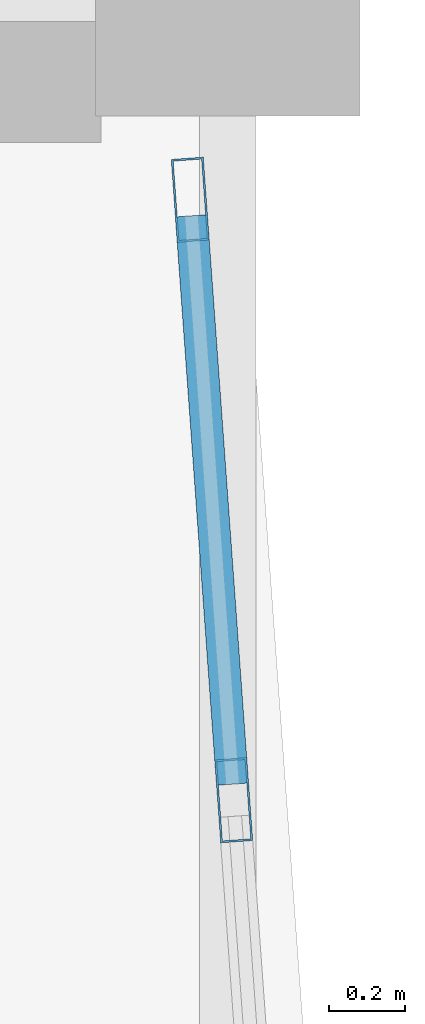
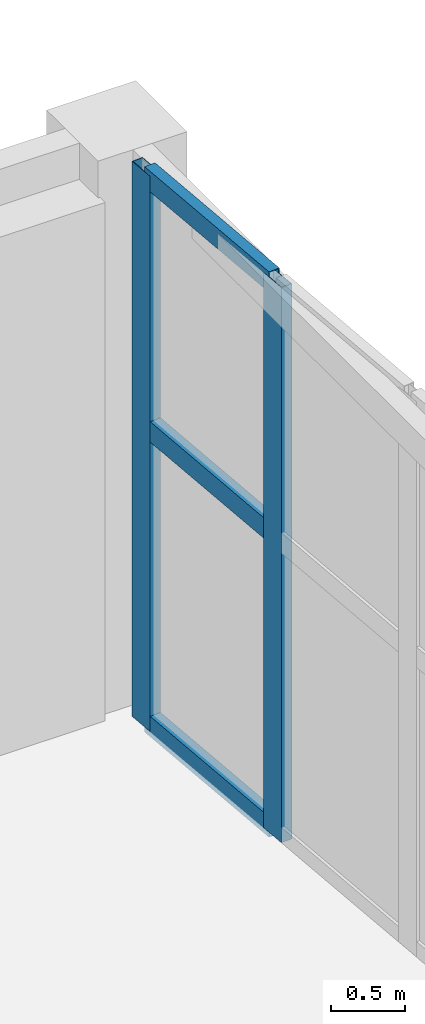
# One storey, part 30 of 72: 5 members, 1 element without a shape of its own.
"""IFC4 building model written with IfcOpenShell, lengths in metres."""

from ifc_helpers import new_model, si_unit, direction, frame, origin, origin_2d, place, context, subcontext, project, spatial, hollow_rectangle, extrude, material, layer, layer_set, material_profile, profile_set, type_object, element, aggregate, save


model = new_model("IFC4")

# Units and contexts
model_context = context("Model", 3, precision=1e-05, world=origin(), true_north=direction((0.0, 1.0)))
body_context = subcontext(model_context, "Body", "Model", "MODEL_VIEW")
ifc_project = project(units=[si_unit("LENGTHUNIT", "METRE"), si_unit("AREAUNIT", "SQUARE_METRE"), si_unit("VOLUMEUNIT", "CUBIC_METRE"), si_unit("PLANEANGLEUNIT", "RADIAN"), si_unit("MASSUNIT", "GRAM", prefix="KILO")], contexts=[model_context])

# Site, building, storey
site_placement = place(None, origin())
site = spatial("IfcSite", under=ifc_project, at=site_placement, CompositionType="ELEMENT")
building_placement = place(site_placement, origin())
building = spatial("IfcBuilding", under=site, at=building_placement, Name="Xicomal Pleat Aquarium", CompositionType="ELEMENT")
storey_placement = place(building_placement, frame((0.0, 0.0, 10.5)))
storey = spatial("IfcBuildingStorey", under=building, at=storey_placement, Name="L03", CompositionType="ELEMENT", Elevation=10.5)

# Curtain wall, members
ifc_material_1 = material(Name="Bronze anodized aluminium 6063-T6", Category="aluminium")
ifc_layer = layer(ifc_material_1, 0.159912109375)
ifc_layer_set = layer_set([ifc_layer], Name="Bronze anodized aluminium 6063-T6")
curtain_wall_type = type_object("IfcCurtainWallType", Name="CW-SYS-03", PredefinedType="NOTDEFINED", material=ifc_layer_set)
curtain_wall_placement = place(storey_placement, origin())
curtain_wall = element("IfcCurtainWall", 1, at=curtain_wall_placement, inside=storey, type_object=curtain_wall_type, Name="L03 unitised curtain wall CW-L03-158", PredefinedType="NOTDEFINED")
ifc_material_2 = material(Name="Bronze anodized aluminium 6063-T6", Category="aluminium")
ifc_material_profile_1 = material_profile(ifc_material_2, hollow_rectangle(XDim=0.0849609375, YDim=0.219970703125, WallThickness=0.0048828125, at=origin_2d()), Name="ALU MULL 85x220")
ifc_profile_set_1 = profile_set([ifc_material_profile_1], Name="Bronze anodized aluminium 6063-T6")
member_type_1 = type_object("IfcMemberType", Name="CWM-85x220", PredefinedType="MULLION", material=ifc_profile_set_1)
member_1_placement = place(storey_placement, frame((118.10107421875, 67.82861328125, 0.0), z_axis=(0.0, 0.0, 1.0), x_axis=(0.997392298421, 0.072170652282, 0.0)))
member_1 = element("IfcMember", 2, at=member_1_placement, type_object=member_type_1, Name="CW-03 mullion 1", PredefinedType="MULLION", context=body_context, shape_type="SweptSolid", body=[
    extrude(hollow_rectangle(XDim=0.0849609375, YDim=0.219970703125, WallThickness=0.0048828125, at=origin_2d()), origin(), (0.0, 0.0, 1.0), 4.610107421875),
])
member_2_placement = place(storey_placement, frame((118.216064453125, 66.240234375, 0.0), z_axis=(0.0, 0.0, 1.0), x_axis=(0.997392298421, 0.072170652282, 0.0)))
member_2 = element("IfcMember", 3, at=member_2_placement, type_object=member_type_1, Name="CW-03 mullion 2", PredefinedType="MULLION", context=body_context, shape_type="SweptSolid", body=[
    extrude(hollow_rectangle(XDim=0.0849609375, YDim=0.219970703125, WallThickness=0.0048828125, at=origin_2d()), origin(), (0.0, 0.0, 1.0), 4.610107421875),
])
ifc_material_3 = material(Name="Bronze anodized aluminium 6063-T6", Category="aluminium")
ifc_material_profile_2 = material_profile(ifc_material_3, hollow_rectangle(XDim=0.0849609375, YDim=0.169921875, WallThickness=0.0048828125, at=origin_2d()), Name="ALU TRAN 85x170")
ifc_profile_set_2 = profile_set([ifc_material_profile_2], Name="Bronze anodized aluminium 6063-T6")
member_type_2 = type_object("IfcMemberType", Name="CWT-85x170", PredefinedType="USERDEFINED", material=ifc_profile_set_2)
member_3_placement = place(storey_placement, frame((118.10400390625, 67.7861328125, 0.04248046875), z_axis=(0.072236899345, -0.997387502615, 0.0), x_axis=(0.997387502615, 0.072236899345, 0.0)))
member_3 = element("IfcMember", 4, at=member_3_placement, type_object=member_type_2, Name="CW-03 transom 1.1", ObjectType="TRANSOM", PredefinedType="USERDEFINED", context=body_context, shape_type="SweptSolid", body=[
    extrude(hollow_rectangle(XDim=0.0849609375, YDim=0.169921875, WallThickness=0.0048828125, at=origin_2d()), origin(), (0.0, 0.0, 1.0), 1.50732421875),
])
member_4_placement = place(storey_placement, frame((118.10400390625, 67.7861328125, 2.489013671875), z_axis=(0.072236899345, -0.997387502615, 0.0), x_axis=(0.997387502615, 0.072236899345, 0.0)))
member_4 = element("IfcMember", 5, at=member_4_placement, type_object=member_type_2, Name="CW-03 transom 1.2", ObjectType="TRANSOM", PredefinedType="USERDEFINED", context=body_context, shape_type="SweptSolid", body=[
    extrude(hollow_rectangle(XDim=0.0849609375, YDim=0.169921875, WallThickness=0.0048828125, at=origin_2d()), origin(), (0.0, 0.0, 1.0), 1.50732421875),
])
member_5_placement = place(storey_placement, frame((118.10400390625, 67.7861328125, 4.5673828125), z_axis=(0.072236899345, -0.997387502615, 0.0), x_axis=(0.997387502615, 0.072236899345, 0.0)))
member_5 = element("IfcMember", 6, at=member_5_placement, type_object=member_type_2, Name="CW-03 transom 1.3", ObjectType="TRANSOM", PredefinedType="USERDEFINED", context=body_context, shape_type="SweptSolid", body=[
    extrude(hollow_rectangle(XDim=0.0849609375, YDim=0.169921875, WallThickness=0.0048828125, at=origin_2d()), origin(), (0.0, 0.0, 1.0), 1.50732421875),
])
aggregate(curtain_wall, [member_1, member_2, member_3, member_4, member_5])

save(model, "model.ifc")
